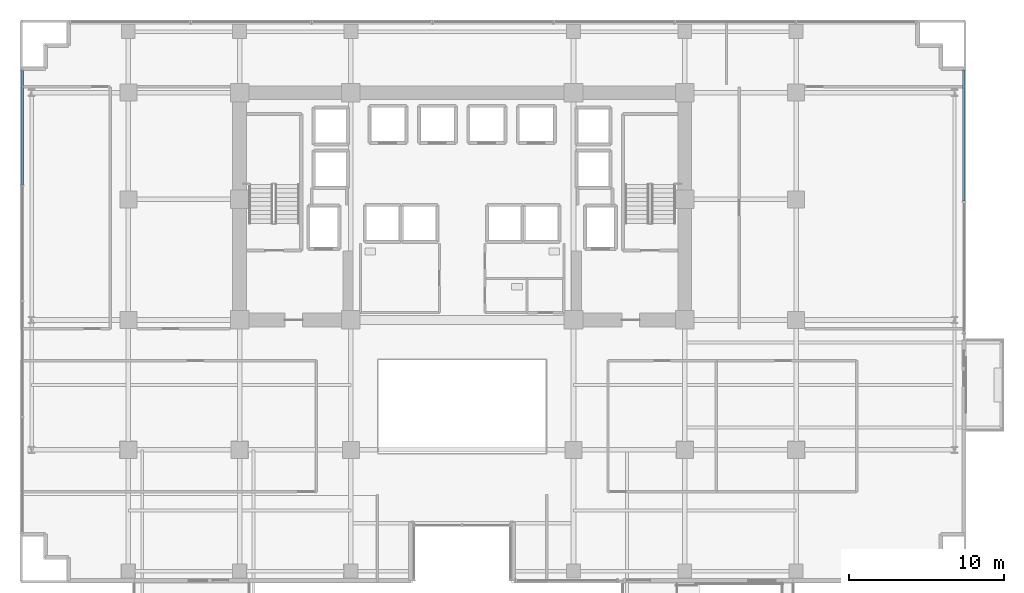
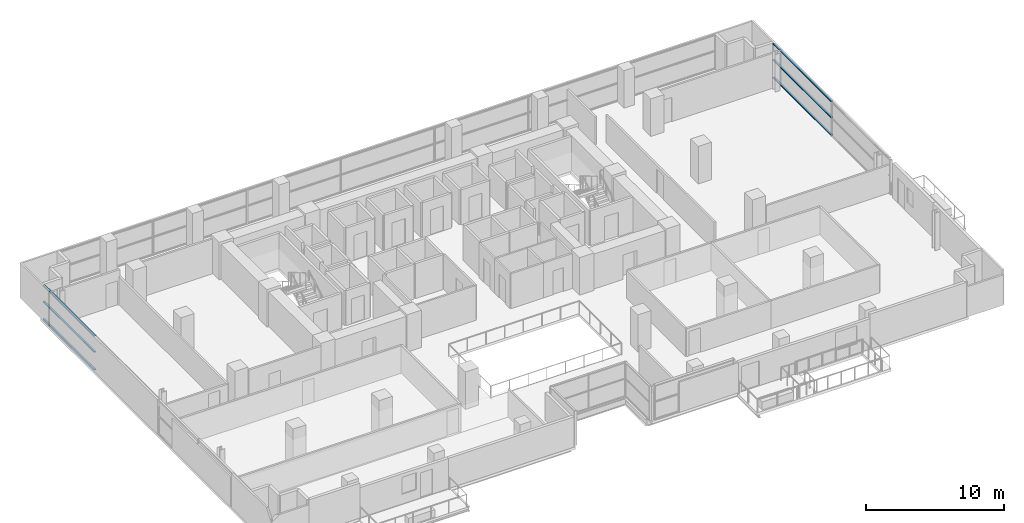
# One storey, part 14 of 28: 6 members, 2 elements without a shape of their own.
"""IFC4 building model written with IfcOpenShell, lengths in metres."""

from ifc_helpers import new_model, si_unit, direction, frame, origin, origin_2d, place, context, subcontext, project, spatial, hollow_rectangle, extrude, source, transform, mapped, material, layer, layer_set, material_profile, profile_set, type_object, element, aggregate, save


model = new_model("IFC4")

# Units and contexts
model_context = context("Model", 3, precision=1e-05, world=origin(), true_north=direction((0.0, 1.0)))
body_context = subcontext(model_context, "Body", "Model", "MODEL_VIEW")
ifc_project = project(units=[si_unit("LENGTHUNIT", "METRE"), si_unit("AREAUNIT", "SQUARE_METRE"), si_unit("VOLUMEUNIT", "CUBIC_METRE"), si_unit("PLANEANGLEUNIT", "RADIAN"), si_unit("MASSUNIT", "GRAM", prefix="KILO")], contexts=[model_context])

# Site, building, storey
site_placement = place(None, origin())
site = spatial("IfcSite", under=ifc_project, at=site_placement, CompositionType="ELEMENT")
building_placement = place(site_placement, origin())
building = spatial("IfcBuilding", under=site, at=building_placement, Name="Zarnakvel Exchange Tower", CompositionType="ELEMENT")
storey_placement = place(building_placement, frame((0.0, 0.0, 57.10009765625)))
storey = spatial("IfcBuildingStorey", under=building, at=storey_placement, Name="L15", CompositionType="ELEMENT", Elevation=57.10009765625)

# Curtain wall, members
ifc_material = material(Name="Architectural Bronze Anodised Aluminium", Category="aluminium")
ifc_layer = layer(ifc_material, 0.199951171875)
ifc_layer_set = layer_set([ifc_layer], Name="Architectural Bronze Anodised Aluminium")
curtain_wall_type = type_object("IfcCurtainWallType", Name="CW-04", PredefinedType="NOTDEFINED", material=ifc_layer_set)
curtain_wall_1_placement = place(storey_placement, origin())
curtain_wall_1 = element("IfcCurtainWall", 1, at=curtain_wall_1_placement, inside=storey, type_object=curtain_wall_type, Name="L15 Curtain Wall CW-L15-EN (CW-04)", PredefinedType="NOTDEFINED")
ifc_material_profile = material_profile(ifc_material, hollow_rectangle(XDim=0.159912109375, YDim=0.074951171875, WallThickness=0.00390625, at=origin_2d()))
ifc_profile_set = profile_set([ifc_material_profile], Name="Architectural Bronze Anodised Aluminium")
member_type = type_object("IfcMemberType", Name="CWT-04", PredefinedType="USERDEFINED", material=ifc_profile_set)
shared_shape_1 = source(origin(), body_context, "Body", "SweptSolid", [
    extrude(hollow_rectangle(XDim=0.159912109375, YDim=0.074951171875, WallThickness=0.00390625, at=origin_2d()), origin(), (0.0, 0.0, 1.0), 8.4375),
])
member_1_placement = place(storey_placement, frame((32.4599609375, 6.487548828125, 0.037353515625), z_axis=(0.0, 1.0, 0.0), x_axis=(-1.0, 0.0, 0.0)))
member_1 = element("IfcMember", 2, at=member_1_placement, type_object=member_type, Name="CW-04 transom 2.1", ObjectType="TRANSOM", PredefinedType="USERDEFINED", context=body_context, shape_type="MappedRepresentation", body=[
    mapped(shared_shape_1, transform((0.0, 0.0, 0.0), x_axis=(1.0, 0.0, 0.0), y_axis=(0.0, 1.0, 0.0), z_axis=(0.0, 0.0, 1.0), scale=1.0)),
])
member_2_placement = place(storey_placement, frame((32.4599609375, 6.487548828125, 1.588623046875), z_axis=(0.0, 1.0, 0.0), x_axis=(-1.0, 0.0, 0.0)))
member_2 = element("IfcMember", 3, at=member_2_placement, type_object=member_type, Name="CW-04 transom 2.2", ObjectType="TRANSOM", PredefinedType="USERDEFINED", context=body_context, shape_type="MappedRepresentation", body=[
    mapped(shared_shape_1, transform((0.0, 0.0, 0.0), x_axis=(1.0, 0.0, 0.0), y_axis=(0.0, 1.0, 0.0), z_axis=(0.0, 0.0, 1.0), scale=1.0)),
])
member_3_placement = place(storey_placement, frame((32.4599609375, 6.487548828125, 3.017333984375), z_axis=(0.0, 1.0, 0.0), x_axis=(-1.0, 0.0, 0.0)))
member_3 = element("IfcMember", 4, at=member_3_placement, type_object=member_type, Name="CW-04 transom 2.3", ObjectType="TRANSOM", PredefinedType="USERDEFINED", context=body_context, shape_type="MappedRepresentation", body=[
    mapped(shared_shape_1, transform((0.0, 0.0, 0.0), x_axis=(1.0, 0.0, 0.0), y_axis=(0.0, 1.0, 0.0), z_axis=(0.0, 0.0, 1.0), scale=1.0)),
])
aggregate(curtain_wall_1, [member_1, member_2, member_3])

curtain_wall_2_placement = place(storey_placement, origin())
curtain_wall_2 = element("IfcCurtainWall", 5, at=curtain_wall_2_placement, inside=storey, type_object=curtain_wall_type, Name="L15 Curtain Wall CW-L15-W1 (CW-04)", PredefinedType="NOTDEFINED")
shared_shape_2 = source(origin(), body_context, "Body", "SweptSolid", [
    extrude(hollow_rectangle(XDim=0.159912109375, YDim=0.074951171875, WallThickness=0.00390625, at=origin_2d()), origin(), (0.0, 0.0, 1.0), 7.387451171875),
])
member_4_placement = place(storey_placement, frame((-28.4599609375, 7.53759765625, 0.037353515625), z_axis=(0.0, 1.0, 0.0), x_axis=(-1.0, 0.0, 0.0)))
member_4 = element("IfcMember", 6, at=member_4_placement, type_object=member_type, Name="CW-04 transom 4.1", ObjectType="TRANSOM", PredefinedType="USERDEFINED", context=body_context, shape_type="MappedRepresentation", body=[
    mapped(shared_shape_2, transform((0.0, 0.0, 0.0), x_axis=(1.0, 0.0, 0.0), y_axis=(0.0, 1.0, 0.0), z_axis=(0.0, 0.0, 1.0), scale=1.0)),
])
member_5_placement = place(storey_placement, frame((-28.4599609375, 7.53759765625, 1.588623046875), z_axis=(0.0, 1.0, 0.0), x_axis=(-1.0, 0.0, 0.0)))
member_5 = element("IfcMember", 7, at=member_5_placement, type_object=member_type, Name="CW-04 transom 4.2", ObjectType="TRANSOM", PredefinedType="USERDEFINED", context=body_context, shape_type="MappedRepresentation", body=[
    mapped(shared_shape_2, transform((0.0, 0.0, 0.0), x_axis=(1.0, 0.0, 0.0), y_axis=(0.0, 1.0, 0.0), z_axis=(0.0, 0.0, 1.0), scale=1.0)),
])
member_6_placement = place(storey_placement, frame((-28.4599609375, 7.53759765625, 3.017333984375), z_axis=(0.0, 1.0, 0.0), x_axis=(-1.0, 0.0, 0.0)))
member_6 = element("IfcMember", 8, at=member_6_placement, type_object=member_type, Name="CW-04 transom 4.3", ObjectType="TRANSOM", PredefinedType="USERDEFINED", context=body_context, shape_type="MappedRepresentation", body=[
    mapped(shared_shape_2, transform((0.0, 0.0, 0.0), x_axis=(1.0, 0.0, 0.0), y_axis=(0.0, 1.0, 0.0), z_axis=(0.0, 0.0, 1.0), scale=1.0)),
])
aggregate(curtain_wall_2, [member_4, member_5, member_6])

save(model, "model.ifc")
